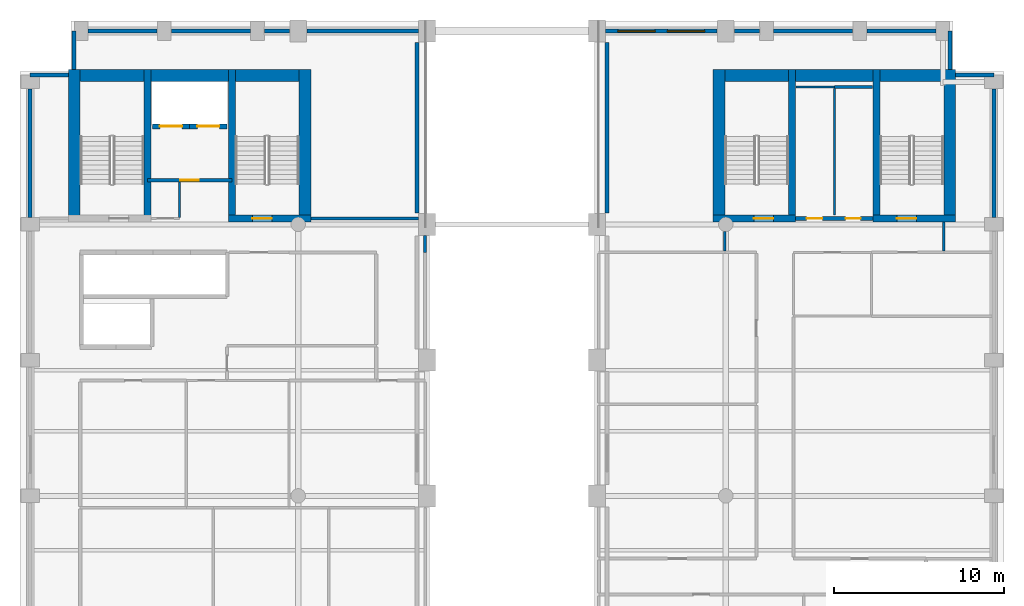
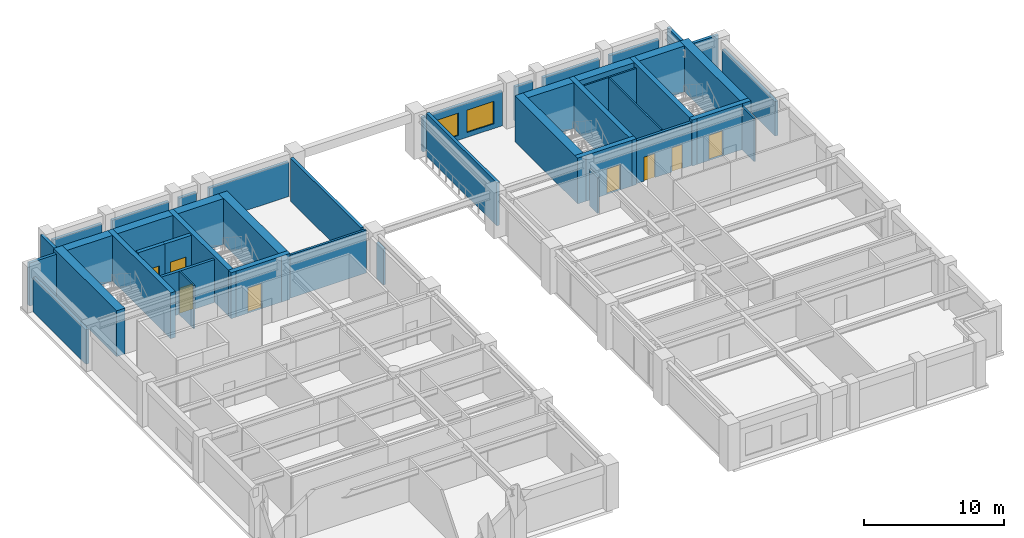
# One storey, part 5 of 8: 41 walls, 8 doors, 2 windows, 10 openings.
"""IFC4 building model written with IfcOpenShell, lengths in metres."""

from ifc_helpers import new_model, si_unit, direction, frame, frame_2d, origin, place, context, subcontext, project, spatial, rectangle, extrude, material, layer, layer_set, type_object, element, fill, save


model = new_model("IFC4")

# Units and contexts
model_context = context("Model", 3, precision=1e-05, world=origin(), true_north=direction((0.0, 1.0)))
body_context = subcontext(model_context, "Body", "Model", "MODEL_VIEW")
ifc_project = project(units=[si_unit("LENGTHUNIT", "METRE"), si_unit("AREAUNIT", "SQUARE_METRE"), si_unit("VOLUMEUNIT", "CUBIC_METRE"), si_unit("PLANEANGLEUNIT", "RADIAN"), si_unit("MASSUNIT", "GRAM", prefix="KILO")], contexts=[model_context])

# Site, building, storey
site_placement = place(None, origin())
site = spatial("IfcSite", under=ifc_project, at=site_placement, CompositionType="ELEMENT")
building_placement = place(site_placement, origin())
building = spatial("IfcBuilding", under=site, at=building_placement, Name="Sulina Concourse Tower", CompositionType="ELEMENT")
storey_placement = place(building_placement, frame((0.0, 0.0, 194.60009765625)))
storey = spatial("IfcBuildingStorey", under=building, at=storey_placement, Name="L47", CompositionType="ELEMENT", Elevation=194.60009765625)

# Wall, opening, door
ifc_material_1 = material(Name="Concrete C50/60", Category="concrete")
ifc_layer_1 = layer(ifc_material_1, 0.300048828125)
ifc_layer_set_1 = layer_set([ifc_layer_1], Name="Concrete C50/60")
wall_type_1 = type_object("IfcWallType", Name="Core Lift Hoistway Wall 300mm", PredefinedType="SOLIDWALL", material=ifc_layer_set_1)
wall_1_placement = place(storey_placement, frame((10.0, 39.780029296875, 0.0), z_axis=(0.0, 0.0, 1.0), x_axis=(-1.0, 0.0, 0.0)))
wall_1 = element("IfcWall", 1, at=wall_1_placement, inside=storey, type_object=wall_type_1, Name="L47 hoistway enclosure wall FFL-1", PredefinedType="SOLIDWALL", context=body_context, shape_type="SweptSolid", body=[
    extrude(rectangle(XDim=2.199951171875, YDim=0.300048828125, at=frame_2d((1.10009765625, 0.0))), origin(), (0.0, 0.0, 1.0), 4.0),
])
opening_1_placement = place(wall_1_placement, frame((0.449951171875, 0.0, 0.0)))
opening_1 = element("IfcOpeningElement", 2, at=opening_1_placement, cuts=wall_1, Name="Opening LD-02", PredefinedType="OPENING", context=body_context, shape_type="SweptSolid", body=[
    extrude(rectangle(XDim=1.300048828125, YDim=2.25, at=frame_2d((0.64990234375, 1.125))), frame((0.0, 0.159912109375, 0.0), z_axis=(0.0, -1.0, 0.0), x_axis=(1.0, 0.0, 0.0)), (0.0, 0.0, 1.0), 0.320068359375),
])
ifc_material_2 = material(Name="Stainless steel lift landing door", Category="steel")
ifc_layer_2 = layer(ifc_material_2, 0.050048828125)
ifc_layer_set_2 = layer_set([ifc_layer_2], Name="Stainless steel lift landing door")
door_type_1 = type_object("IfcDoorType", Name="Firefighting Lift Sliding Landing Door 1300x2250", OperationType="SLIDING_TO_RIGHT", PredefinedType="DOOR", material=ifc_layer_set_2)
door_1_placement = place(opening_1_placement, origin())
door_1 = element("IfcDoor", 3, at=door_1_placement, inside=storey, type_object=door_type_1, Name="L47 lift landing sliding door FFL-1", OperationType="SLIDING_TO_LEFT", OverallHeight=2.25, OverallWidth=1.300048828125, PredefinedType="DOOR", context=body_context, shape_type="SweptSolid", body=[
    extrude(rectangle(XDim=1.300048828125, YDim=2.25, at=frame_2d((0.64990234375, 1.125))), frame((0.0, 0.02490234375, 0.0), z_axis=(0.0, -1.0, 0.0), x_axis=(1.0, 0.0, 0.0)), (0.0, 0.0, 1.0), 0.050048828125),
])
fill(opening_1, door_1)

wall_2_placement = place(storey_placement, frame((12.199951171875, 39.780029296875, 0.0), z_axis=(0.0, 0.0, 1.0), x_axis=(-1.0, 0.0, 0.0)))
wall_2 = element("IfcWall", 4, at=wall_2_placement, inside=storey, type_object=wall_type_1, Name="L47 hoistway enclosure wall FFL-2", PredefinedType="SOLIDWALL", context=body_context, shape_type="SweptSolid", body=[
    extrude(rectangle(XDim=2.199951171875, YDim=0.300048828125, at=frame_2d((1.10009765625, 0.0))), origin(), (0.0, 0.0, 1.0), 4.0),
])
opening_2_placement = place(wall_2_placement, frame((0.449951171875, 0.0, 0.0)))
opening_2 = element("IfcOpeningElement", 5, at=opening_2_placement, cuts=wall_2, Name="Opening LD-02", PredefinedType="OPENING", context=body_context, shape_type="SweptSolid", body=[
    extrude(rectangle(XDim=1.300048828125, YDim=2.25, at=frame_2d((0.64990234375, 1.125))), frame((0.0, 0.159912109375, 0.0), z_axis=(0.0, -1.0, 0.0), x_axis=(1.0, 0.0, 0.0)), (0.0, 0.0, 1.0), 0.320068359375),
])
door_2_placement = place(opening_2_placement, origin())
door_2 = element("IfcDoor", 6, at=door_2_placement, inside=storey, type_object=door_type_1, Name="L47 lift landing sliding door FFL-2", OperationType="SLIDING_TO_RIGHT", OverallHeight=2.25, OverallWidth=1.300048828125, PredefinedType="DOOR", context=body_context, shape_type="SweptSolid", body=[
    extrude(rectangle(XDim=1.300048828125, YDim=2.25, at=frame_2d((0.64990234375, 1.125))), frame((0.0, 0.02490234375, 0.0), z_axis=(0.0, -1.0, 0.0), x_axis=(1.0, 0.0, 0.0)), (0.0, 0.0, 1.0), 0.050048828125),
])
fill(opening_2, door_2)

# Walls
ifc_material_3 = material(Name="Precast concrete C50/60", Category="concrete")
ifc_layer_3 = layer(ifc_material_3, 0.239990234375)
ifc_layer_set_3 = layer_set([ifc_layer_3], Name="Precast concrete C50/60")
wall_type_2 = type_object("IfcWallType", Name="Crown Precast Masonry-Frame Facade Wall 240mm", PredefinedType="SOLIDWALL", material=ifc_layer_set_3)
wall_3_placement = place(storey_placement, frame((0.60009765625, 34.419921875, 0.0), z_axis=(0.0, 0.0, 1.0), x_axis=(0.0, 1.0, 0.0)))
element("IfcWall", 7, at=wall_3_placement, inside=storey, type_object=wall_type_2, Name="L47 exterior precast wall W5", PredefinedType="SOLIDWALL", context=body_context, shape_type="SweptSolid", body=[
    extrude(rectangle(XDim=7.56005859375, YDim=0.239990234375, at=frame_2d((3.780029296875, 0.0))), origin(), (0.0, 0.0, 1.0), 3.0),
])
wall_4_placement = place(storey_placement, frame((4.02001953125, 45.39990234375, 0.0), z_axis=(0.0, 0.0, 1.0), x_axis=(1.0, 0.0, 0.0)))
element("IfcWall", 8, at=wall_4_placement, inside=storey, type_object=wall_type_2, Name="L47 exterior precast wall N1", PredefinedType="SOLIDWALL", context=body_context, shape_type="SweptSolid", body=[
    extrude(rectangle(XDim=4.06005859375, YDim=0.239990234375, at=frame_2d((2.030029296875, 0.0))), origin(), (0.0, 0.0, 1.0), 3.0),
])
wall_5_placement = place(storey_placement, frame((8.919921875, 45.39990234375, 0.0), z_axis=(0.0, 0.0, 1.0), x_axis=(1.0, 0.0, 0.0)))
element("IfcWall", 9, at=wall_5_placement, inside=storey, type_object=wall_type_2, Name="L47 exterior precast wall N2", PredefinedType="SOLIDWALL", context=body_context, shape_type="SweptSolid", body=[
    extrude(rectangle(XDim=4.66015625, YDim=0.239990234375, at=frame_2d((2.330078125, 0.0))), origin(), (0.0, 0.0, 1.0), 3.0),
])
wall_6_placement = place(storey_placement, frame((14.419921875, 45.39990234375, 0.0), z_axis=(0.0, 0.0, 1.0), x_axis=(1.0, 0.0, 0.0)))
element("IfcWall", 10, at=wall_6_placement, inside=storey, type_object=wall_type_2, Name="L47 exterior precast wall N3", PredefinedType="SOLIDWALL", context=body_context, shape_type="SweptSolid", body=[
    extrude(rectangle(XDim=1.4599609375, YDim=0.239990234375, at=frame_2d((0.72998046875, 0.0))), origin(), (0.0, 0.0, 1.0), 3.0),
])
wall_7_placement = place(storey_placement, frame((16.919921875, 45.39990234375, 0.0), z_axis=(0.0, 0.0, 1.0), x_axis=(1.0, 0.0, 0.0)))
element("IfcWall", 11, at=wall_7_placement, inside=storey, type_object=wall_type_2, Name="L47 exterior precast wall N4", PredefinedType="SOLIDWALL", context=body_context, shape_type="SweptSolid", body=[
    extrude(rectangle(XDim=6.56005859375, YDim=0.239990234375, at=frame_2d((3.280029296875, 0.0))), origin(), (0.0, 0.0, 1.0), 3.0),
])

# Wall, openings, windows
wall_8_placement = place(storey_placement, frame((34.52001953125, 45.39990234375, 0.0), z_axis=(0.0, 0.0, 1.0), x_axis=(1.0, 0.0, 0.0)))
wall_8 = element("IfcWall", 12, at=wall_8_placement, inside=storey, type_object=wall_type_2, Name="L47 exterior precast wall N6", PredefinedType="SOLIDWALL", context=body_context, shape_type="SweptSolid", body=[
    extrude(rectangle(XDim=6.56005859375, YDim=0.239990234375, at=frame_2d((3.280029296875, 0.0))), origin(), (0.0, 0.0, 1.0), 3.0),
])
opening_3_placement = place(wall_8_placement, frame((0.719970703125, 0.0, 0.419921875)))
opening_3 = element("IfcOpeningElement", 13, at=opening_3_placement, cuts=wall_8, Name="Opening WN-76", PredefinedType="OPENING", context=body_context, shape_type="SweptSolid", body=[
    extrude(rectangle(XDim=2.199951171875, YDim=1.949951171875, at=frame_2d((1.10009765625, 0.97509765625))), frame((0.0, 0.1298828125, 0.0), z_axis=(0.0, -1.0, 0.0), x_axis=(1.0, 0.0, 0.0)), (0.0, 0.0, 1.0), 0.260009765625),
])
opening_4_placement = place(wall_8_placement, frame((3.639892578125, 0.0, 0.419921875)))
opening_4 = element("IfcOpeningElement", 14, at=opening_4_placement, cuts=wall_8, Name="Opening WN-76", PredefinedType="OPENING", context=body_context, shape_type="SweptSolid", body=[
    extrude(rectangle(XDim=2.199951171875, YDim=1.949951171875, at=frame_2d((1.10009765625, 0.97509765625))), frame((0.0, 0.1298828125, 0.0), z_axis=(0.0, -1.0, 0.0), x_axis=(1.0, 0.0, 0.0)), (0.0, 0.0, 1.0), 0.260009765625),
])
ifc_material_4 = material(Name="Low-E solar double glazing in bronze aluminium", Category="aluminium")
window_type = type_object("IfcWindowType", Name="Recessed Spandrel Window 2200x1950", PartitioningType="DOUBLE_PANEL_VERTICAL", PredefinedType="WINDOW", material=ifc_material_4)
window_1_placement = place(opening_3_placement, origin())
window_1 = element("IfcWindow", 15, at=window_1_placement, inside=storey, type_object=window_type, Name="L47 punched window N6-1", OverallHeight=1.949951171875, OverallWidth=2.199951171875, PartitioningType="SINGLE_PANEL", PredefinedType="WINDOW", context=body_context, shape_type="SweptSolid", body=[
    extrude(rectangle(XDim=2.199951171875, YDim=1.949951171875, at=frame_2d((1.10009765625, 0.97509765625))), frame((0.0, 0.030029296875, 0.0), z_axis=(0.0, -1.0, 0.0), x_axis=(1.0, 0.0, 0.0)), (0.0, 0.0, 1.0), 0.06005859375),
])
fill(opening_3, window_1)
window_2_placement = place(opening_4_placement, origin())
window_2 = element("IfcWindow", 16, at=window_2_placement, inside=storey, type_object=window_type, Name="L47 punched window N6-2", OverallHeight=1.949951171875, OverallWidth=2.199951171875, PartitioningType="SINGLE_PANEL", PredefinedType="WINDOW", context=body_context, shape_type="SweptSolid", body=[
    extrude(rectangle(XDim=2.199951171875, YDim=1.949951171875, at=frame_2d((1.10009765625, 0.97509765625))), frame((0.0, 0.030029296875, 0.0), z_axis=(0.0, -1.0, 0.0), x_axis=(1.0, 0.0, 0.0)), (0.0, 0.0, 1.0), 0.06005859375),
])
fill(opening_4, window_2)

# Walls
wall_9_placement = place(storey_placement, frame((42.1201171875, 45.39990234375, 0.0), z_axis=(0.0, 0.0, 1.0), x_axis=(1.0, 0.0, 0.0)))
element("IfcWall", 17, at=wall_9_placement, inside=storey, type_object=wall_type_2, Name="L47 exterior precast wall N7", PredefinedType="SOLIDWALL", context=body_context, shape_type="SweptSolid", body=[
    extrude(rectangle(XDim=1.4599609375, YDim=0.239990234375, at=frame_2d((0.72998046875, 0.0))), origin(), (0.0, 0.0, 1.0), 3.0),
])
wall_10_placement = place(storey_placement, frame((44.419921875, 45.39990234375, 0.0), z_axis=(0.0, 0.0, 1.0), x_axis=(1.0, 0.0, 0.0)))
element("IfcWall", 18, at=wall_10_placement, inside=storey, type_object=wall_type_2, Name="L47 exterior precast wall N8", PredefinedType="SOLIDWALL", context=body_context, shape_type="SweptSolid", body=[
    extrude(rectangle(XDim=4.66015625, YDim=0.239990234375, at=frame_2d((2.330078125, 0.0))), origin(), (0.0, 0.0, 1.0), 3.0),
])
wall_11_placement = place(storey_placement, frame((49.919921875, 45.39990234375, 0.0), z_axis=(0.0, 0.0, 1.0), x_axis=(1.0, 0.0, 0.0)))
element("IfcWall", 19, at=wall_11_placement, inside=storey, type_object=wall_type_2, Name="L47 exterior precast wall N9", PredefinedType="SOLIDWALL", context=body_context, shape_type="SweptSolid", body=[
    extrude(rectangle(XDim=4.06005859375, YDim=0.239990234375, at=frame_2d((2.030029296875, 0.0))), origin(), (0.0, 0.0, 1.0), 3.0),
])
wall_12_placement = place(storey_placement, frame((57.39990234375, 41.97998046875, 0.0), z_axis=(0.0, 0.0, 1.0), x_axis=(0.0, -1.0, 0.0)))
element("IfcWall", 20, at=wall_12_placement, inside=storey, type_object=wall_type_2, Name="L47 exterior precast wall E5", PredefinedType="SOLIDWALL", context=body_context, shape_type="SweptSolid", body=[
    extrude(rectangle(XDim=7.56005859375, YDim=0.239990234375, at=frame_2d((3.780029296875, 0.0))), origin(), (0.0, 0.0, 1.0), 3.0),
])
wall_13_placement = place(storey_placement, frame((0.60009765625, 42.820068359375, 0.0), z_axis=(0.0, 0.0, 1.0), x_axis=(1.0, 0.0, 0.0)))
element("IfcWall", 21, at=wall_13_placement, inside=storey, type_object=wall_type_2, Name="L47 exterior precast wall CNW1", PredefinedType="SOLIDWALL", context=body_context, shape_type="SweptSolid", body=[
    extrude(rectangle(XDim=2.244873046875, YDim=0.239990234375, at=frame_2d((1.12255859375, 0.0))), origin(), (0.0, 0.0, 1.0), 3.75),
])
for number, where, z_axis, x_axis, name in (
    (22, (3.179931640625, 43.135009765625, 0.0), (0.0, 0.0, 1.0), (0.0, 1.0, 0.0), "L47 exterior precast wall CNW2"),
    (23, (54.820068359375, 45.39990234375, 0.0), (0.0, 0.0, 1.0), (0.0, -1.0, 0.0), "L47 exterior precast wall CNE1"),
):
    element("IfcWall", number, at=place(storey_placement, frame(where, z_axis=z_axis, x_axis=x_axis)), inside=storey, type_object=wall_type_2, Name=name, PredefinedType="SOLIDWALL", context=body_context, shape_type="SweptSolid", body=[
        extrude(rectangle(XDim=2.264892578125, YDim=0.239990234375, at=frame_2d((1.13232421875, 0.0))), origin(), (0.0, 0.0, 1.0), 3.75),
    ])
wall_14_placement = place(storey_placement, frame((55.155029296875, 42.820068359375, 0.0), z_axis=(0.0, 0.0, 1.0), x_axis=(1.0, 0.0, 0.0)))
element("IfcWall", 24, at=wall_14_placement, inside=storey, type_object=wall_type_2, Name="L47 exterior precast wall CNE2", PredefinedType="SOLIDWALL", context=body_context, shape_type="SweptSolid", body=[
    extrude(rectangle(XDim=2.244873046875, YDim=0.239990234375, at=frame_2d((1.12255859375, 0.0))), origin(), (0.0, 0.0, 1.0), 3.75),
])
for number, where, z_axis, x_axis, name in (
    (25, (23.39990234375, 44.72998046875, 0.0), (0.0, 0.0, 1.0), (0.0, -1.0, 0.0), "L47 exterior precast wall PW5"),
    (26, (34.60009765625, 34.669921875, 0.0), (0.0, 0.0, 1.0), (0.0, 1.0, 0.0), "L47 exterior precast wall PE5"),
):
    element("IfcWall", number, at=place(storey_placement, frame(where, z_axis=z_axis, x_axis=x_axis)), inside=storey, type_object=wall_type_2, Name=name, PredefinedType="SOLIDWALL", context=body_context, shape_type="SweptSolid", body=[
        extrude(rectangle(XDim=10.06005859375, YDim=0.239990234375, at=frame_2d((5.030029296875, 0.0))), origin(), (0.0, 0.0, 1.0), 3.75),
    ])

# Wall, opening, door
ifc_material_5 = material(Name="Gypsum board on steel stud", Category="steel")
ifc_layer_4 = layer(ifc_material_5, 0.219970703125)
ifc_layer_set_4 = layer_set([ifc_layer_4], Name="Gypsum board on steel stud")
wall_type_3 = type_object("IfcWallType", Name="Fire-Rated Lobby & Compartment Wall 220mm", PredefinedType="PARTITIONING", material=ifc_layer_set_4)
wall_15_placement = place(storey_placement, frame((7.510009765625, 36.60009765625, 0.0), z_axis=(0.0, 0.0, 1.0), x_axis=(1.0, 0.0, 0.0)))
wall_15 = element("IfcWall", 27, at=wall_15_placement, inside=storey, type_object=wall_type_3, Name="L47 firefighting lobby south fire wall", PredefinedType="PARTITIONING", context=body_context, shape_type="SweptSolid", body=[
    extrude(rectangle(XDim=4.97998046875, YDim=0.219970703125, at=frame_2d((2.489990234375, 0.0))), origin(), (0.0, 0.0, 1.0), 3.75),
])
opening_5_placement = place(wall_15_placement, frame((1.93994140625, 0.0, 0.0)))
opening_5 = element("IfcOpeningElement", 28, at=opening_5_placement, cuts=wall_15, Name="Opening DR-47", PredefinedType="OPENING", context=body_context, shape_type="SweptSolid", body=[
    extrude(rectangle(XDim=1.10009765625, YDim=2.199951171875, at=frame_2d((0.550048828125, 1.10009765625))), frame((0.0, 0.119873046875, 0.0), z_axis=(0.0, -1.0, 0.0), x_axis=(1.0, 0.0, 0.0)), (0.0, 0.0, 1.0), 0.239990234375),
])
ifc_material_6 = material(Name="Galvanised steel acoustic fire leaf", Category="steel")
ifc_layer_5 = layer(ifc_material_6, 0.054931640625)
ifc_layer_set_5 = layer_set([ifc_layer_5], Name="Galvanised steel acoustic fire leaf")
door_type_2 = type_object("IfcDoorType", Name="Firefighting Lobby Fire Door 1100x2200", OperationType="NOTDEFINED", PredefinedType="DOOR", material=ifc_layer_set_5)
door_3_placement = place(opening_5_placement, origin())
door_3 = element("IfcDoor", 29, at=door_3_placement, inside=storey, type_object=door_type_2, Name="L47 firefighting lobby fire door", OperationType="SINGLE_SWING_RIGHT", OverallHeight=2.199951171875, OverallWidth=1.10009765625, PredefinedType="DOOR", context=body_context, shape_type="SweptSolid", body=[
    extrude(rectangle(XDim=1.10009765625, YDim=2.199951171875, at=frame_2d((0.550048828125, 1.10009765625))), frame((0.0, 0.02490234375, 0.0), z_axis=(0.0, -1.0, 0.0), x_axis=(1.0, 0.0, 0.0)), (0.0, 0.0, 1.0), 0.050048828125),
])
fill(opening_5, door_3)

# Wall, openings, doors
wall_16_placement = place(storey_placement, frame((45.719970703125, 34.35009765625, 0.0), z_axis=(0.0, 0.0, 1.0), x_axis=(1.0, 0.0, 0.0)))
wall_16 = element("IfcWall", 30, at=wall_16_placement, inside=storey, type_object=wall_type_3, Name="L47 east core south lobby wall", PredefinedType="PARTITIONING", context=body_context, shape_type="SweptSolid", body=[
    extrude(rectangle(XDim=4.56005859375, YDim=0.219970703125, at=frame_2d((2.280029296875, 0.0))), origin(), (0.0, 0.0, 1.0), 3.75),
])
opening_6_placement = place(wall_16_placement, frame((0.64990234375, 0.0, 0.0)))
opening_6 = element("IfcOpeningElement", 31, at=opening_6_placement, cuts=wall_16, Name="Opening DR-61", PredefinedType="OPENING", context=body_context, shape_type="SweptSolid", body=[
    extrude(rectangle(XDim=0.919921875, YDim=2.10009765625, at=frame_2d((0.4599609375, 1.050048828125))), frame((0.0, 0.119873046875, 0.0), z_axis=(0.0, -1.0, 0.0), x_axis=(1.0, 0.0, 0.0)), (0.0, 0.0, 1.0), 0.239990234375),
])
opening_7_placement = place(wall_16_placement, frame((2.949951171875, 0.0, 0.0)))
opening_7 = element("IfcOpeningElement", 32, at=opening_7_placement, cuts=wall_16, Name="Opening DR-38", PredefinedType="OPENING", context=body_context, shape_type="SweptSolid", body=[
    extrude(rectangle(XDim=0.8798828125, YDim=2.10009765625, at=frame_2d((0.43994140625, 1.050048828125))), frame((0.0, 0.119873046875, 0.0), z_axis=(0.0, -1.0, 0.0), x_axis=(1.0, 0.0, 0.0)), (0.0, 0.0, 1.0), 0.239990234375),
])
ifc_material_7 = material(Name="Oak-veneered fire door leaf")
ifc_layer_6 = layer(ifc_material_7, 0.050048828125)
ifc_layer_set_6 = layer_set([ifc_layer_6], Name="Oak-veneered fire door leaf")
door_type_3 = type_object("IfcDoorType", Name="Accessible WC Door 920x2100", OperationType="NOTDEFINED", PredefinedType="DOOR", material=ifc_layer_set_6)
door_4_placement = place(opening_6_placement, origin())
door_4 = element("IfcDoor", 33, at=door_4_placement, inside=storey, type_object=door_type_3, Name="L47 east core accessible wc door", OperationType="SINGLE_SWING_RIGHT", OverallHeight=2.10009765625, OverallWidth=0.919921875, PredefinedType="DOOR", context=body_context, shape_type="SweptSolid", body=[
    extrude(rectangle(XDim=0.919921875, YDim=2.10009765625, at=frame_2d((0.4599609375, 1.050048828125))), frame((0.0, 0.02490234375, 0.0), z_axis=(0.0, -1.0, 0.0), x_axis=(1.0, 0.0, 0.0)), (0.0, 0.0, 1.0), 0.050048828125),
])
fill(opening_6, door_4)
ifc_material_8 = material(Name="Galvanised steel acoustic fire leaf", Category="steel")
ifc_layer_7 = layer(ifc_material_8, 0.050048828125)
ifc_layer_set_7 = layer_set([ifc_layer_7], Name="Galvanised steel acoustic fire leaf")
door_type_4 = type_object("IfcDoorType", Name="Service Riser Fire Door 880x2100", OperationType="NOTDEFINED", PredefinedType="DOOR", material=ifc_layer_set_7)
door_5_placement = place(opening_7_placement, origin())
door_5 = element("IfcDoor", 34, at=door_5_placement, inside=storey, type_object=door_type_4, Name="L47 east core store door", OperationType="SINGLE_SWING_LEFT", OverallHeight=2.10009765625, OverallWidth=0.8798828125, PredefinedType="DOOR", context=body_context, shape_type="SweptSolid", body=[
    extrude(rectangle(XDim=0.8798828125, YDim=2.10009765625, at=frame_2d((0.43994140625, 1.050048828125))), frame((0.0, 0.02490234375, 0.0), z_axis=(0.0, -1.0, 0.0), x_axis=(1.0, 0.0, 0.0)), (0.0, 0.0, 1.0), 0.050048828125),
])
fill(opening_7, door_5)

# Walls
ifc_material_9 = material(Name="Gypsum board on steel stud", Category="steel")
ifc_layer_8 = layer(ifc_material_9, 0.14990234375)
ifc_layer_set_8 = layer_set([ifc_layer_8], Name="Gypsum board on steel stud")
wall_type_4 = type_object("IfcWallType", Name="Inter-Tenancy Acoustic Partition 150mm", PredefinedType="PARTITIONING", material=ifc_layer_set_8)
wall_17_placement = place(storey_placement, frame((48.0, 42.10009765625, 0.0), z_axis=(0.0, 0.0, 1.0), x_axis=(1.0, 0.0, 0.0)))
element("IfcWall", 35, at=wall_17_placement, inside=storey, type_object=wall_type_4, Name="L47 interior partition 038", PredefinedType="PARTITIONING", context=body_context, shape_type="SweptSolid", body=[
    extrude(rectangle(XDim=2.25, YDim=0.14990234375, at=frame_2d((1.125, 0.0))), origin(), (0.0, 0.0, 1.0), 3.75),
])
wall_18_placement = place(storey_placement, frame((41.550048828125, 32.425048828125, 0.0), z_axis=(0.0, 0.0, 1.0), x_axis=(0.0, 1.0, 0.0)))
element("IfcWall", 36, at=wall_18_placement, inside=storey, type_object=wall_type_4, Name="L47 interior partition 063", PredefinedType="PARTITIONING", context=body_context, shape_type="SweptSolid", body=[
    extrude(rectangle(XDim=1.14990234375, YDim=0.14990234375, at=frame_2d((0.574951171875, 0.0))), origin(), (0.0, 0.0, 1.0), 3.14501953125),
])
wall_19_placement = place(storey_placement, frame((54.449951171875, 32.425048828125, 0.0), z_axis=(0.0, 0.0, 1.0), x_axis=(0.0, 1.0, 0.0)))
element("IfcWall", 37, at=wall_19_placement, inside=storey, type_object=wall_type_4, Name="L47 interior partition 072", PredefinedType="PARTITIONING", context=body_context, shape_type="SweptSolid", body=[
    extrude(rectangle(XDim=1.724853515625, YDim=0.14990234375, at=frame_2d((0.8623046875, 0.0))), origin(), (0.0, 0.0, 1.0), 3.75),
])
ifc_material_10 = material(Name="Gypsum board on steel stud", Category="steel")
ifc_layer_9 = layer(ifc_material_10, 0.179931640625)
ifc_layer_set_9 = layer_set([ifc_layer_9], Name="Gypsum board on steel stud")
wall_type_5 = type_object("IfcWallType", Name="Protected Corridor & Riser Partition 180mm", PredefinedType="PARTITIONING", material=ifc_layer_set_9)
wall_20_placement = place(storey_placement, frame((17.14990234375, 34.35009765625, 0.0), z_axis=(0.0, 0.0, 1.0), x_axis=(1.0, 0.0, 0.0)))
element("IfcWall", 38, at=wall_20_placement, inside=storey, type_object=wall_type_5, Name="L47 interior partition 036", PredefinedType="PARTITIONING", context=body_context, shape_type="SweptSolid", body=[
    extrude(rectangle(XDim=6.35009765625, YDim=0.179931640625, at=frame_2d((3.175048828125, 0.0))), origin(), (0.0, 0.0, 1.0), 3.75),
])
wall_21_placement = place(storey_placement, frame((23.8798828125, 32.35009765625, 0.0), z_axis=(0.0, 0.0, 1.0), x_axis=(0.0, 1.0, 0.0)))
element("IfcWall", 39, at=wall_21_placement, inside=storey, type_object=wall_type_5, Name="L47 interior partition 055", PredefinedType="PARTITIONING", context=body_context, shape_type="SweptSolid", body=[
    extrude(rectangle(XDim=1.0, YDim=0.179931640625, at=frame_2d((0.5, 0.0))), origin(), (0.0, 0.0, 1.0), 3.14501953125),
])

# Wall, opening, door
ifc_material_11 = material(Name="Concrete C60/75", Category="concrete")
ifc_layer_10 = layer(ifc_material_11, 0.39990234375)
ifc_layer_set_10 = layer_set([ifc_layer_10], Name="Concrete C60/75")
wall_type_6 = type_object("IfcWallType", Name="Protected Stair Core Shear Wall 400mm", PredefinedType="SHEAR", material=ifc_layer_set_10)
wall_22_placement = place(storey_placement, frame((12.2900390625, 34.35009765625, 0.0), z_axis=(0.0, 0.0, 1.0), x_axis=(1.0, 0.0, 0.0)))
wall_22 = element("IfcWall", 40, at=wall_22_placement, inside=storey, type_object=wall_type_6, Name="L47 west core shear wall CW-WS2", PredefinedType="SHEAR", context=body_context, shape_type="SweptSolid", body=[
    extrude(rectangle(XDim=4.85986328125, YDim=0.39990234375, at=frame_2d((2.429931640625, 0.0))), origin(), (0.0, 0.0, 1.0), 4.0),
])
opening_8_placement = place(wall_22_placement, frame((1.39990234375, 0.0, 0.0)))
opening_8 = element("IfcOpeningElement", 41, at=opening_8_placement, cuts=wall_22, Name="Opening DR-60", PredefinedType="OPENING", context=body_context, shape_type="SweptSolid", body=[
    extrude(rectangle(XDim=1.14990234375, YDim=2.199951171875, at=frame_2d((0.574951171875, 1.10009765625))), frame((0.0, 0.2099609375, 0.0), z_axis=(0.0, -1.0, 0.0), x_axis=(1.0, 0.0, 0.0)), (0.0, 0.0, 1.0), 0.419921875),
])
ifc_material_12 = material(Name="Galvanised steel acoustic fire leaf", Category="steel")
ifc_layer_11 = layer(ifc_material_12, 0.054931640625)
ifc_layer_set_11 = layer_set([ifc_layer_11], Name="Galvanised steel acoustic fire leaf")
door_type_5 = type_object("IfcDoorType", Name="Protected Exit Stair Fire Door 1150x2200", OperationType="NOTDEFINED", PredefinedType="DOOR", material=ifc_layer_set_11)
door_6_placement = place(opening_8_placement, origin())
door_6 = element("IfcDoor", 42, at=door_6_placement, inside=storey, type_object=door_type_5, Name="L47 stair ST-2 lobby fire door", OperationType="SINGLE_SWING_LEFT", OverallHeight=2.199951171875, OverallWidth=1.14990234375, PredefinedType="DOOR", context=body_context, shape_type="SweptSolid", body=[
    extrude(rectangle(XDim=1.14990234375, YDim=2.199951171875, at=frame_2d((0.574951171875, 1.10009765625))), frame((0.0, 0.02490234375, 0.0), z_axis=(0.0, -1.0, 0.0), x_axis=(1.0, 0.0, 0.0)), (0.0, 0.0, 1.0), 0.050048828125),
])
fill(opening_8, door_6)

# Walls
for number, where, z_axis, x_axis, name in (
    (43, (7.510009765625, 34.14990234375, 0.0), (0.0, 0.0, 1.0), (0.0, 1.0, 0.0), "L47 west core shear wall SW-ST1"),
    (44, (12.489990234375, 34.14990234375, 0.0), (0.0, 0.0, 1.0), (0.0, 1.0, 0.0), "L47 west core shear wall SW-ST2"),
):
    element("IfcWall", number, at=place(storey_placement, frame(where, z_axis=z_axis, x_axis=x_axis)), inside=storey, type_object=wall_type_6, Name=name, PredefinedType="SHEAR", context=body_context, shape_type="SweptSolid", body=[
        extrude(rectangle(XDim=8.97998046875, YDim=0.39990234375, at=frame_2d((4.489990234375, 0.0))), origin(), (0.0, 0.0, 1.0), 4.0),
    ])

# Wall, opening, door
wall_23_placement = place(storey_placement, frame((40.85009765625, 34.35009765625, 0.0), z_axis=(0.0, 0.0, 1.0), x_axis=(1.0, 0.0, 0.0)))
wall_23 = element("IfcWall", 45, at=wall_23_placement, inside=storey, type_object=wall_type_6, Name="L47 east core shear wall CW-ES1", PredefinedType="SHEAR", context=body_context, shape_type="SweptSolid", body=[
    extrude(rectangle(XDim=4.85986328125, YDim=0.39990234375, at=frame_2d((2.429931640625, 0.0))), origin(), (0.0, 0.0, 1.0), 4.0),
])
opening_9_placement = place(wall_23_placement, frame((2.39990234375, 0.0, 0.0)))
opening_9 = element("IfcOpeningElement", 46, at=opening_9_placement, cuts=wall_23, Name="Opening DR-60", PredefinedType="OPENING", context=body_context, shape_type="SweptSolid", body=[
    extrude(rectangle(XDim=1.14990234375, YDim=2.199951171875, at=frame_2d((0.574951171875, 1.10009765625))), frame((0.0, 0.2099609375, 0.0), z_axis=(0.0, -1.0, 0.0), x_axis=(1.0, 0.0, 0.0)), (0.0, 0.0, 1.0), 0.419921875),
])
door_7_placement = place(opening_9_placement, origin())
door_7 = element("IfcDoor", 47, at=door_7_placement, inside=storey, type_object=door_type_5, Name="L47 stair ST-3 south lobby fire door", OperationType="SINGLE_SWING_LEFT", OverallHeight=2.199951171875, OverallWidth=1.14990234375, PredefinedType="DOOR", context=body_context, shape_type="SweptSolid", body=[
    extrude(rectangle(XDim=1.14990234375, YDim=2.199951171875, at=frame_2d((0.574951171875, 1.10009765625))), frame((0.0, 0.02490234375, 0.0), z_axis=(0.0, -1.0, 0.0), x_axis=(1.0, 0.0, 0.0)), (0.0, 0.0, 1.0), 0.050048828125),
])
fill(opening_9, door_7)

# Wall
wall_24_placement = place(storey_placement, frame((45.510009765625, 34.14990234375, 0.0), z_axis=(0.0, 0.0, 1.0), x_axis=(0.0, 1.0, 0.0)))
element("IfcWall", 48, at=wall_24_placement, inside=storey, type_object=wall_type_6, Name="L47 east core shear wall SW-ST3", PredefinedType="SHEAR", context=body_context, shape_type="SweptSolid", body=[
    extrude(rectangle(XDim=8.97998046875, YDim=0.39990234375, at=frame_2d((4.489990234375, 0.0))), origin(), (0.0, 0.0, 1.0), 4.0),
])

# Wall, opening, door
wall_25_placement = place(storey_placement, frame((50.2900390625, 34.35009765625, 0.0), z_axis=(0.0, 0.0, 1.0), x_axis=(1.0, 0.0, 0.0)))
wall_25 = element("IfcWall", 49, at=wall_25_placement, inside=storey, type_object=wall_type_6, Name="L47 east core shear wall CW-ES2", PredefinedType="SHEAR", context=body_context, shape_type="SweptSolid", body=[
    extrude(rectangle(XDim=4.85986328125, YDim=0.39990234375, at=frame_2d((2.429931640625, 0.0))), origin(), (0.0, 0.0, 1.0), 4.0),
])
opening_10_placement = place(wall_25_placement, frame((1.39990234375, 0.0, 0.0)))
opening_10 = element("IfcOpeningElement", 50, at=opening_10_placement, cuts=wall_25, Name="Opening DR-60", PredefinedType="OPENING", context=body_context, shape_type="SweptSolid", body=[
    extrude(rectangle(XDim=1.14990234375, YDim=2.199951171875, at=frame_2d((0.574951171875, 1.10009765625))), frame((0.0, 0.2099609375, 0.0), z_axis=(0.0, -1.0, 0.0), x_axis=(1.0, 0.0, 0.0)), (0.0, 0.0, 1.0), 0.419921875),
])
door_8_placement = place(opening_10_placement, origin())
door_8 = element("IfcDoor", 51, at=door_8_placement, inside=storey, type_object=door_type_5, Name="L47 stair ST-4 south lobby fire door", OperationType="SINGLE_SWING_RIGHT", OverallHeight=2.199951171875, OverallWidth=1.14990234375, PredefinedType="DOOR", context=body_context, shape_type="SweptSolid", body=[
    extrude(rectangle(XDim=1.14990234375, YDim=2.199951171875, at=frame_2d((0.574951171875, 1.10009765625))), frame((0.0, 0.02490234375, 0.0), z_axis=(0.0, -1.0, 0.0), x_axis=(1.0, 0.0, 0.0)), (0.0, 0.0, 1.0), 0.050048828125),
])
fill(opening_10, door_8)

# Walls
wall_26_placement = place(storey_placement, frame((50.489990234375, 34.14990234375, 0.0), z_axis=(0.0, 0.0, 1.0), x_axis=(0.0, 1.0, 0.0)))
element("IfcWall", 52, at=wall_26_placement, inside=storey, type_object=wall_type_6, Name="L47 east core shear wall SW-ST4", PredefinedType="SHEAR", context=body_context, shape_type="SweptSolid", body=[
    extrude(rectangle(XDim=8.97998046875, YDim=0.39990234375, at=frame_2d((4.489990234375, 0.0))), origin(), (0.0, 0.0, 1.0), 4.0),
])
ifc_material_13 = material(Name="Concrete C60/75", Category="concrete")
ifc_layer_12 = layer(ifc_material_13, 0.699951171875)
ifc_layer_set_12 = layer_set([ifc_layer_12], Name="Concrete C60/75")
wall_type_7 = type_object("IfcWallType", Name="Rear Core Shear Wall 700mm", PredefinedType="SHEAR", material=ifc_layer_set_12)
wall_27_placement = place(storey_placement, frame((2.85009765625, 42.780029296875, 0.0), z_axis=(0.0, 0.0, 1.0), x_axis=(1.0, 0.0, 0.0)))
element("IfcWall", 53, at=wall_27_placement, inside=storey, type_object=wall_type_7, Name="L47 west core shear wall CW-WN", PredefinedType="SHEAR", context=body_context, shape_type="SweptSolid", body=[
    extrude(rectangle(XDim=14.2998046875, YDim=0.699951171875, at=frame_2d((7.14990234375, 0.0))), origin(), (0.0, 0.0, 1.0), 4.0),
])
for number, where, z_axis, x_axis, name in (
    (54, (3.199951171875, 34.14990234375, 0.0), (0.0, 0.0, 1.0), (0.0, 1.0, 0.0), "L47 west core shear wall CW-WW"),
    (55, (16.800048828125, 34.14990234375, 0.0), (0.0, 0.0, 1.0), (0.0, 1.0, 0.0), "L47 west core shear wall CW-WE"),
):
    element("IfcWall", number, at=place(storey_placement, frame(where, z_axis=z_axis, x_axis=x_axis)), inside=storey, type_object=wall_type_7, Name=name, PredefinedType="SHEAR", context=body_context, shape_type="SweptSolid", body=[
        extrude(rectangle(XDim=8.97998046875, YDim=0.699951171875, at=frame_2d((4.489990234375, 0.0))), origin(), (0.0, 0.0, 1.0), 4.0),
    ])
wall_28_placement = place(storey_placement, frame((40.85009765625, 42.780029296875, 0.0), z_axis=(0.0, 0.0, 1.0), x_axis=(1.0, 0.0, 0.0)))
element("IfcWall", 56, at=wall_28_placement, inside=storey, type_object=wall_type_7, Name="L47 east core shear wall CW-EN", PredefinedType="SHEAR", context=body_context, shape_type="SweptSolid", body=[
    extrude(rectangle(XDim=14.2998046875, YDim=0.699951171875, at=frame_2d((7.14990234375, 0.0))), origin(), (0.0, 0.0, 1.0), 4.0),
])
for number, where, z_axis, x_axis, name in (
    (57, (41.199951171875, 34.14990234375, 0.0), (0.0, 0.0, 1.0), (0.0, 1.0, 0.0), "L47 east core shear wall CW-EW"),
    (58, (54.800048828125, 34.14990234375, 0.0), (0.0, 0.0, 1.0), (0.0, 1.0, 0.0), "L47 east core shear wall CW-EE"),
):
    element("IfcWall", number, at=place(storey_placement, frame(where, z_axis=z_axis, x_axis=x_axis)), inside=storey, type_object=wall_type_7, Name=name, PredefinedType="SHEAR", context=body_context, shape_type="SweptSolid", body=[
        extrude(rectangle(XDim=8.97998046875, YDim=0.699951171875, at=frame_2d((4.489990234375, 0.0))), origin(), (0.0, 0.0, 1.0), 4.0),
    ])
ifc_material_14 = material(Name="Gypsum board on steel stud", Category="steel")
ifc_layer_13 = layer(ifc_material_14, 0.125)
ifc_layer_set_13 = layer_set([ifc_layer_13], Name="Gypsum board on steel stud")
wall_type_8 = type_object("IfcWallType", Name="Wet-Area Moisture-Resistant Partition 125mm", PredefinedType="PARTITIONING", material=ifc_layer_set_13)
wall_29_placement = place(storey_placement, frame((45.75, 42.10009765625, 0.0), z_axis=(0.0, 0.0, 1.0), x_axis=(1.0, 0.0, 0.0)))
element("IfcWall", 59, at=wall_29_placement, inside=storey, type_object=wall_type_8, Name="L47 interior partition 037", PredefinedType="PARTITIONING", context=body_context, shape_type="SweptSolid", body=[
    extrude(rectangle(XDim=2.25, YDim=0.125, at=frame_2d((1.125, 0.0))), origin(), (0.0, 0.0, 1.0), 3.75),
])
wall_30_placement = place(storey_placement, frame((9.39990234375, 34.41259765625, 0.0), z_axis=(0.0, 0.0, 1.0), x_axis=(0.0, 1.0, 0.0)))
element("IfcWall", 60, at=wall_30_placement, inside=storey, type_object=wall_type_8, Name="L47 interior partition 041", PredefinedType="PARTITIONING", context=body_context, shape_type="SweptSolid", body=[
    extrude(rectangle(XDim=2.077392578125, YDim=0.125, at=frame_2d((1.03857421875, 0.0))), origin(), (0.0, 0.0, 1.0), 3.75),
])
wall_31_placement = place(storey_placement, frame((48.0, 34.550048828125, 0.0), z_axis=(0.0, 0.0, 1.0), x_axis=(0.0, 1.0, 0.0)))
element("IfcWall", 61, at=wall_31_placement, inside=storey, type_object=wall_type_8, Name="L47 interior partition 069", PredefinedType="PARTITIONING", context=body_context, shape_type="SweptSolid", body=[
    extrude(rectangle(XDim=7.474853515625, YDim=0.125, at=frame_2d((3.7373046875, 0.0))), origin(), (0.0, 0.0, 1.0), 3.75),
])

save(model, "model.ifc")
